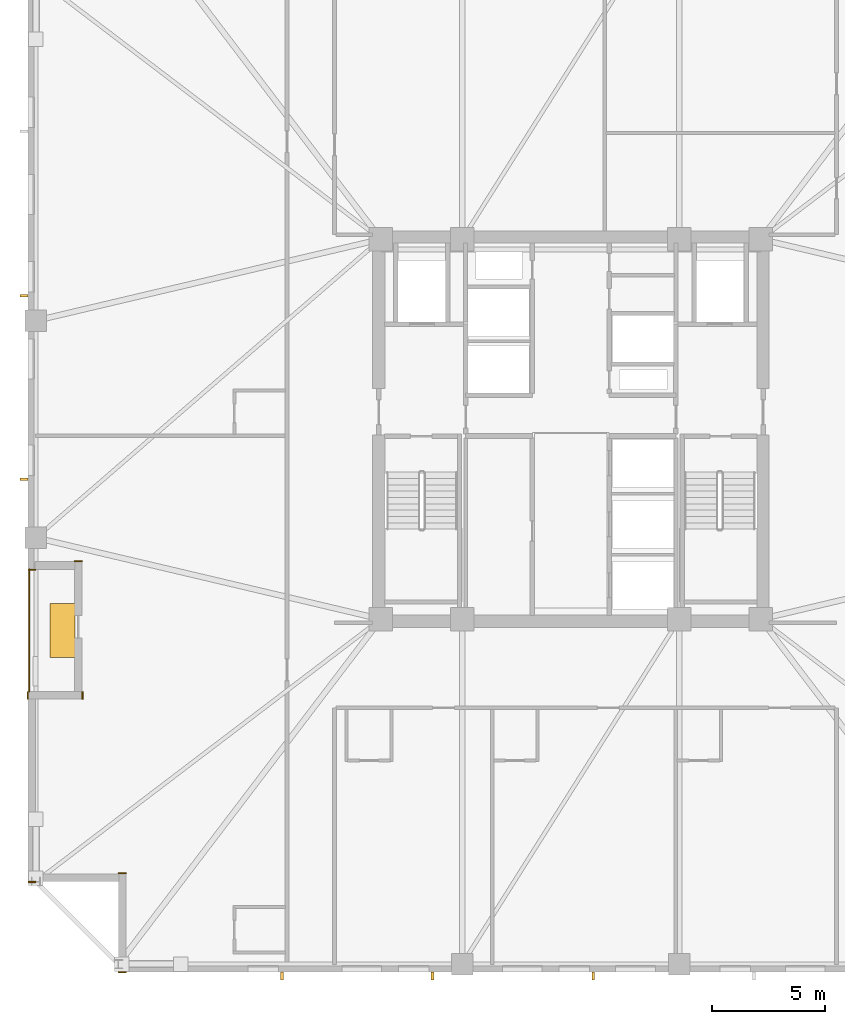
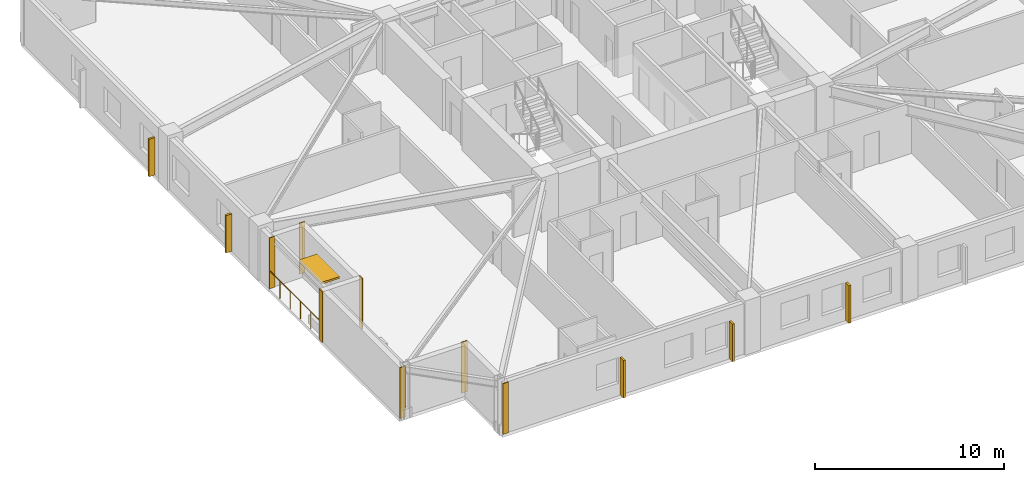
# One storey, part 7 of 11: 7 coverings, 6 shading devices, 1 railing.
"""IFC4 building model written with IfcOpenShell, lengths in metres."""

from ifc_helpers import new_model, si_unit, direction, frame, frame_2d, origin, origin_2d, place, context, subcontext, project, spatial, rectangle, circle, extrude, material, layer, layer_set, type_object, element, save


model = new_model("IFC4")

# Units and contexts
model_context = context("Model", 3, precision=1e-05, world=origin(), true_north=direction((0.0, 1.0)))
body_context = subcontext(model_context, "Body", "Model", "MODEL_VIEW")
ifc_project = project(units=[si_unit("LENGTHUNIT", "METRE"), si_unit("AREAUNIT", "SQUARE_METRE"), si_unit("VOLUMEUNIT", "CUBIC_METRE"), si_unit("PLANEANGLEUNIT", "RADIAN"), si_unit("MASSUNIT", "GRAM", prefix="KILO")], contexts=[model_context])

# Site, building, storey
site_placement = place(None, origin())
site = spatial("IfcSite", under=ifc_project, at=site_placement, CompositionType="ELEMENT")
building_placement = place(site_placement, origin())
building = spatial("IfcBuilding", under=site, at=building_placement, Name="Cairnveth Concourse Tower", CompositionType="ELEMENT")
storey_placement = place(building_placement, frame((0.0, 0.0, 134.0)))
storey = spatial("IfcBuildingStorey", under=building, at=storey_placement, Name="L36", CompositionType="ELEMENT", Elevation=134.0)

# Coverings
ifc_material_1 = material(Name="Dressed Melbourne Bluestone Cladding", Category="masonry")
ifc_layer = layer(ifc_material_1, 0.050048828125)
ifc_layer_set = layer_set([ifc_layer], Name="Dressed Melbourne Bluestone Cladding")
covering_type = type_object("IfcCoveringType", Name="DRESSED BLUESTONE PLINTH CLADDING 50", PredefinedType="CLADDING", material=ifc_layer_set)
for number, where, z_axis, x_axis, name in (
    (1, (28.340087890625, 32.780029296875, 0.0), (0.0, 0.0, 1.0), (-1.0, 0.0, 0.0), "Melbourne Bluestone Corner Quoin L36-515"),
    (2, (32.340087890625, 14.97998046875, 0.0), (0.0, 0.0, 1.0), (-1.0, 0.0, 0.0), "Melbourne Bluestone Corner Quoin L36-525"),
    (3, (32.340087890625, 19.360107421875, 0.0), (0.0, 0.0, 1.0), (-1.0, 0.0, 0.0), "Melbourne Bluestone Corner Quoin L36-526"),
    (4, (28.340087890625, 18.97998046875, 0.0), (0.0, 0.0, 1.0), (-1.0, 0.0, 0.0), "Melbourne Bluestone Corner Quoin L36-527"),
):
    element("IfcCovering", number, at=place(storey_placement, frame(where, z_axis=z_axis, x_axis=x_axis)), inside=storey, type_object=covering_type, Name=name, PredefinedType="CLADDING", context=body_context, shape_type="SweptSolid", body=[
        extrude(rectangle(XDim=0.340087890625, YDim=0.050048828125, at=frame_2d((0.169921875, 0.0))), origin(), (0.0, 0.0, 1.0), 3.280029296875),
    ])
for number, where, z_axis, x_axis, name in (
    (5, (27.97998046875, 27.06005859375, 0.0), (0.0, 0.0, 1.0), (0.0, 1.0, 0.0), "Melbourne Bluestone Corner Quoin L36-528"),
    (6, (30.409912109375, 27.06005859375, 0.0), (0.0, 0.0, 1.0), (0.0, 1.0, 0.0), "Melbourne Bluestone Corner Quoin L36-529"),
    (7, (30.389892578125, 33.159912109375, 0.0), (0.0, 0.0, 1.0), (-1.0, 0.0, 0.0), "Melbourne Bluestone Corner Quoin L36-530"),
):
    element("IfcCovering", number, at=place(storey_placement, frame(where, z_axis=z_axis, x_axis=x_axis)), inside=storey, type_object=covering_type, Name=name, PredefinedType="CLADDING", context=body_context, shape_type="SweptSolid", body=[
        extrude(rectangle(XDim=0.33984375, YDim=0.050048828125, at=frame_2d((0.169921875, 0.0))), origin(), (0.0, 0.0, 1.0), 3.280029296875),
    ])

# Shading devices
ifc_material_2 = material(Name="Architectural Bronze Anodised Aluminium 6063-T6", Category="aluminium")
shading_device_type_1 = type_object("IfcShadingDeviceType", Name="GOTHIC BRONZE VERTICAL LANCET FIN", PredefinedType="USERDEFINED", material=ifc_material_2)
for number, where, z_axis, x_axis, name in (
    (8, (27.824951171875, 36.783203125, 0.030029296875), (0.0, 0.0, 1.0), (0.0, 1.0, 0.0), "Gothic Bronze Vertical Fin L36-0-1"),
    (9, (27.824951171875, 44.906005859375, 0.030029296875), (0.0, 0.0, 1.0), (0.0, 1.0, 0.0), "Gothic Bronze Vertical Fin L36-0-3"),
    (10, (52.993896484375, 14.824951171875, 0.030029296875), (0.0, 0.0, 1.0), (1.0, 0.0, 0.0), "Gothic Bronze Vertical Fin L36-9-5"),
    (11, (45.886962890625, 14.824951171875, 0.030029296875), (0.0, 0.0, 1.0), (1.0, 0.0, 0.0), "Gothic Bronze Vertical Fin L36-9-7"),
    (12, (39.229736328125, 14.824951171875, 0.030029296875), (0.0, 0.0, 1.0), (1.0, 0.0, 0.0), "Gothic Bronze Vertical Fin L36-9-9"),
):
    element("IfcShadingDevice", number, at=place(storey_placement, frame(where, z_axis=z_axis, x_axis=x_axis)), inside=storey, type_object=shading_device_type_1, Name=name, ObjectType="VERTICAL FIN", PredefinedType="USERDEFINED", context=body_context, shape_type="SweptSolid", body=[
        extrude(rectangle(XDim=0.1201171875, YDim=0.360107421875, at=origin_2d()), origin(), (0.0, 0.0, 1.0), 2.419921875),
    ])
shading_device_type_2 = type_object("IfcShadingDeviceType", Name="SPIRAL TERRACE SUNSHADE CANOPY", PredefinedType="USERDEFINED", material=ifc_material_2)
shading_device_placement = place(storey_placement, frame((29.530029296875, 30.10009765625, 2.300048828125), z_axis=(0.0, 0.0, 1.0), x_axis=(1.0, 0.0, 0.0)))
element("IfcShadingDevice", 13, at=shading_device_placement, inside=storey, type_object=shading_device_type_2, Name="Spiral Terrace Sunshade L36", ObjectType="TERRACE SUNSHADE", PredefinedType="USERDEFINED", context=body_context, shape_type="SweptSolid", body=[
    extrude(rectangle(XDim=1.10009765625, YDim=2.39990234375, at=origin_2d()), origin(), (0.0, 0.0, 1.0), 0.1201171875),
])

# Railing
railing_type = type_object("IfcRailingType", Name="TERRACE BRONZE BALUSTRADE 1150", PredefinedType="BALUSTRADE", material=ifc_material_2)
railing_placement = place(storey_placement, frame((28.06005859375, 27.39990234375, 0.0)))
element("IfcRailing", 14, at=railing_placement, inside=storey, type_object=railing_type, Name="Terrace Balustrade RL-L36-TERR", PredefinedType="BALUSTRADE", context=body_context, shape_type="SweptSolid", body=[
    extrude(circle(Radius=0.02490234375, at=origin_2d()), frame((0.0, 0.0, 1.125), z_axis=(0.0, 1.0, 0.0), x_axis=(-1.0, 0.0, 0.0)), (0.0, 0.0, 1.0), 5.400146484375),
    extrude(circle(Radius=0.02099609375, at=origin_2d()), origin(), (0.0, 0.0, 1.0), 1.099853515625),
    extrude(circle(Radius=0.02099609375, at=origin_2d()), frame((0.0, 1.080078125, 0.0)), (0.0, 0.0, 1.0), 1.099853515625),
    extrude(circle(Radius=0.02099609375, at=origin_2d()), frame((0.0, 2.16015625, 0.0)), (0.0, 0.0, 1.0), 1.099853515625),
    extrude(circle(Radius=0.02099609375, at=origin_2d()), frame((0.0, 3.239990234375, 0.0)), (0.0, 0.0, 1.0), 1.099853515625),
    extrude(circle(Radius=0.02099609375, at=origin_2d()), frame((0.0, 4.320068359375, 0.0)), (0.0, 0.0, 1.0), 1.099853515625),
    extrude(circle(Radius=0.02099609375, at=origin_2d()), frame((0.0, 5.400146484375, 0.0)), (0.0, 0.0, 1.0), 1.099853515625),
])

save(model, "model.ifc")
